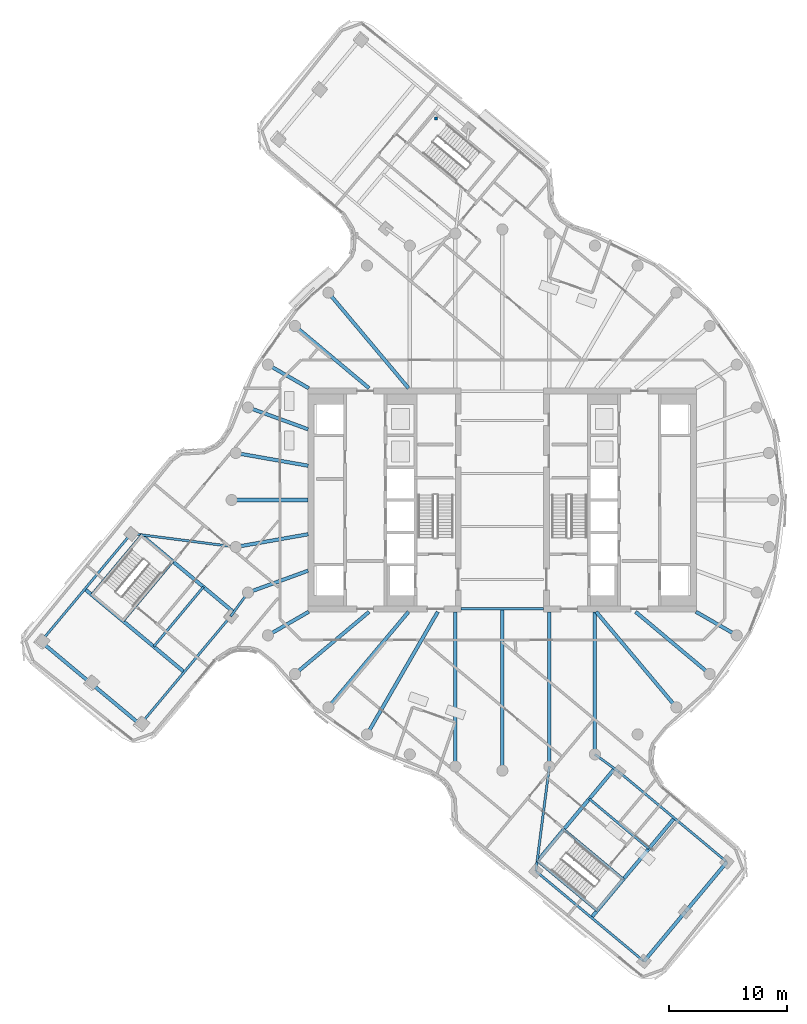
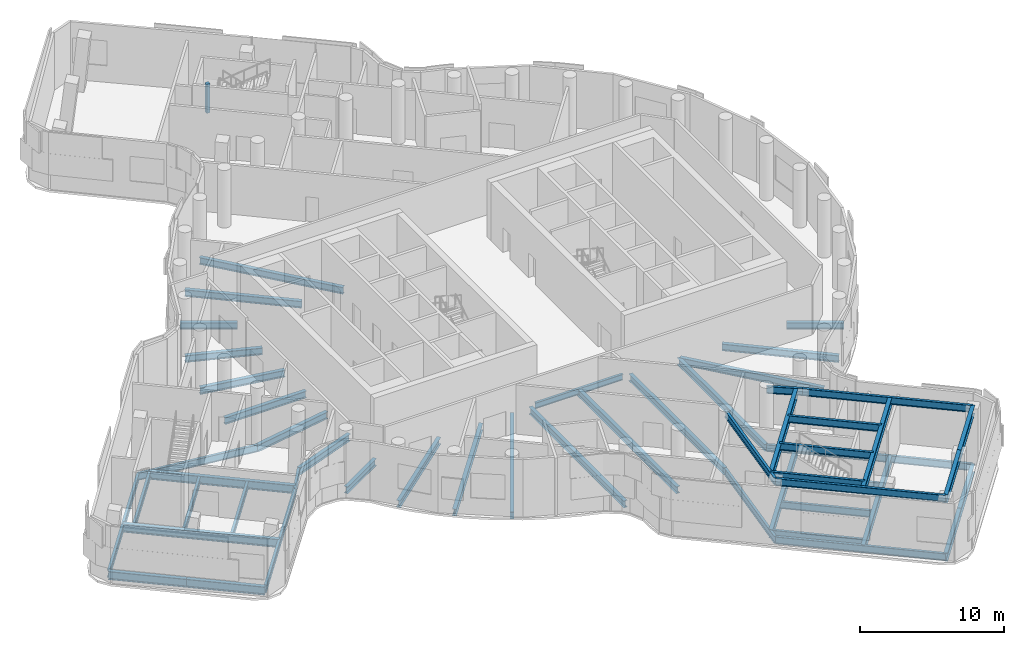
# One storey, part 2 of 19: 53 beams, 1 column.
"""IFC4 building model written with IfcOpenShell, lengths in metres."""

from ifc_helpers import new_model, si_unit, direction, frame, origin, origin_2d, place, context, subcontext, project, spatial, rectangle, i_section, extrude, material, material_profile, profile_set, type_object, element, save


model = new_model("IFC4")

# Units and contexts
model_context = context("Model", 3, precision=1e-05, world=origin(), true_north=direction((0.0, 1.0)))
body_context = subcontext(model_context, "Body", "Model", "MODEL_VIEW")
ifc_project = project(units=[si_unit("LENGTHUNIT", "METRE"), si_unit("AREAUNIT", "SQUARE_METRE"), si_unit("VOLUMEUNIT", "CUBIC_METRE"), si_unit("PLANEANGLEUNIT", "RADIAN"), si_unit("MASSUNIT", "GRAM", prefix="KILO")], contexts=[model_context])

# Site, building, storey
site_placement = place(None, origin())
site = spatial("IfcSite", under=ifc_project, at=site_placement, CompositionType="ELEMENT")
building_placement = place(site_placement, origin())
building = spatial("IfcBuilding", under=site, at=building_placement, Name="Tamarind Cross Interchange Tower", CompositionType="ELEMENT")
storey_placement = place(building_placement, frame((0.0, 0.0, 214.89990234375)))
storey = spatial("IfcBuildingStorey", under=building, at=storey_placement, Name="L54", CompositionType="ELEMENT", Elevation=214.89990234375)

# Column
ifc_material_1 = material(Name="Concrete C40", Category="concrete")
ifc_material_profile_1 = material_profile(ifc_material_1, rectangle(XDim=0.25, YDim=0.25, at=origin_2d()), Name="RC 250x250")
ifc_profile_set_1 = profile_set([ifc_material_profile_1], Name="Concrete C40")
column_type = type_object("IfcColumnType", Name="Column RC 250x250 Concrete C40", PredefinedType="COLUMN", material=ifc_profile_set_1)
column_placement = place(storey_placement, frame((-5.625732421875, 32.426513671875, -0.179931640625), z_axis=(0.0, 0.0, 1.0), x_axis=(1.0, 0.0, 0.0)))
element("IfcColumn", 1, at=column_placement, inside=storey, type_object=column_type, Name="Column ST4 landing L54", PredefinedType="COLUMN", context=body_context, shape_type="SweptSolid", body=[
    extrude(rectangle(XDim=0.25, YDim=0.25, at=origin_2d()), origin(), (0.0, 0.0, 1.0), 2.47998046875),
])

# Beams
ifc_material_2 = material(Name="Steel Q355B", Category="steel")
ifc_material_profile_2 = material_profile(ifc_material_2, i_section(OverallWidth=0.300048828125, OverallDepth=0.58203125, WebThickness=0.011962890625, FlangeThickness=0.01708984375, FilletRadius=0.01806640625, at=origin_2d()), Name="HM 582x300x12x17")
ifc_profile_set_2 = profile_set([ifc_material_profile_2], Name="Steel Q355B")
beam_type_1 = type_object("IfcBeamType", Name="Composite beam HM 582x300x12x17 Q355B", PredefinedType="BEAM", material=ifc_profile_set_2)
beam_1_placement = place(storey_placement, frame((-14.7841796875, 17.619140625, -0.470947265625), z_axis=(0.642786293979, -0.766045547127, 0.0), x_axis=(0.766045547127, 0.642786293979, 0.0)))
element("IfcBeam", 2, at=beam_1_placement, inside=storey, type_object=beam_type_1, Name="Beam HH13", PredefinedType="BEAM", context=body_context, shape_type="SweptSolid", body=[
    extrude(i_section(OverallWidth=0.300048828125, OverallDepth=0.58203125, WebThickness=0.011962890625, FlangeThickness=0.01708984375, FilletRadius=0.01806640625, at=origin_2d()), origin(), (0.0, 0.0, 1.0), 10.598876953125),
])
beam_2_placement = place(storey_placement, frame((-17.619140625, 14.7841796875, -0.470947265625), z_axis=(0.766040580814, -0.642792212574, 0.0), x_axis=(0.642792212574, 0.766040580814, 0.0)))
element("IfcBeam", 3, at=beam_2_placement, inside=storey, type_object=beam_type_1, Name="Beam HH14", PredefinedType="BEAM", context=body_context, shape_type="SweptSolid", body=[
    extrude(i_section(OverallWidth=0.300048828125, OverallDepth=0.58203125, WebThickness=0.011962890625, FlangeThickness=0.01708984375, FilletRadius=0.01806640625, at=origin_2d()), origin(), (0.0, 0.0, 1.0), 8.220703125),
])
beam_3_placement = place(storey_placement, frame((-19.918701171875, 11.5, -0.470947265625), z_axis=(0.866026010844, -0.49999894854, 0.0), x_axis=(0.49999894854, 0.866026010844, 0.0)))
element("IfcBeam", 4, at=beam_3_placement, inside=storey, type_object=beam_type_1, Name="Beam HH15", PredefinedType="BEAM", context=body_context, shape_type="SweptSolid", body=[
    extrude(i_section(OverallWidth=0.300048828125, OverallDepth=0.58203125, WebThickness=0.011962890625, FlangeThickness=0.01708984375, FilletRadius=0.01806640625, at=origin_2d()), origin(), (0.0, 0.0, 1.0), 4.0),
])
beam_4_placement = place(storey_placement, frame((-21.613037109375, 7.866455078125, -0.470947265625), z_axis=(0.939701685589, -0.341995236956, 0.0), x_axis=(0.341995236956, 0.939701685589, 0.0)))
element("IfcBeam", 5, at=beam_4_placement, inside=storey, type_object=beam_type_1, Name="Beam HH16", PredefinedType="BEAM", context=body_context, shape_type="SweptSolid", body=[
    extrude(i_section(OverallWidth=0.300048828125, OverallDepth=0.58203125, WebThickness=0.011962890625, FlangeThickness=0.01708984375, FilletRadius=0.01806640625, at=origin_2d()), origin(), (0.0, 0.0, 1.0), 5.441162109375),
])
beam_5_placement = place(storey_placement, frame((-22.650634765625, 3.993896484375, -0.470947265625), z_axis=(0.984809127561, -0.173640382036, 0.0), x_axis=(0.173640382036, 0.984809127561, 0.0)))
element("IfcBeam", 6, at=beam_5_placement, inside=storey, type_object=beam_type_1, Name="Beam HH17", PredefinedType="BEAM", context=body_context, shape_type="SweptSolid", body=[
    extrude(i_section(OverallWidth=0.300048828125, OverallDepth=0.58203125, WebThickness=0.011962890625, FlangeThickness=0.01708984375, FilletRadius=0.01806640625, at=origin_2d()), origin(), (0.0, 0.0, 1.0), 6.24560546875),
])
beam_6_placement = place(storey_placement, frame((-23.0, 0.0, -0.470947265625), z_axis=(1.0, 0.0, 0.0), x_axis=(0.0, 1.0, 0.0)))
element("IfcBeam", 7, at=beam_6_placement, inside=storey, type_object=beam_type_1, Name="Beam HH18", PredefinedType="BEAM", context=body_context, shape_type="SweptSolid", body=[
    extrude(i_section(OverallWidth=0.300048828125, OverallDepth=0.58203125, WebThickness=0.011962890625, FlangeThickness=0.01708984375, FilletRadius=0.01806640625, at=origin_2d()), origin(), (0.0, 0.0, 1.0), 6.5),
])
beam_7_placement = place(storey_placement, frame((-22.650634765625, -3.993896484375, -0.470947265625), z_axis=(0.984809127561, 0.173640382036, 0.0), x_axis=(-0.173640382036, 0.984809127561, 0.0)))
element("IfcBeam", 8, at=beam_7_placement, inside=storey, type_object=beam_type_1, Name="Beam HH19", PredefinedType="BEAM", context=body_context, shape_type="SweptSolid", body=[
    extrude(i_section(OverallWidth=0.300048828125, OverallDepth=0.58203125, WebThickness=0.011962890625, FlangeThickness=0.01708984375, FilletRadius=0.01806640625, at=origin_2d()), origin(), (0.0, 0.0, 1.0), 6.24560546875),
])
beam_8_placement = place(storey_placement, frame((-21.613037109375, -7.866455078125, -0.470947265625), z_axis=(0.939701685589, 0.341995236956, 0.0), x_axis=(-0.341995236956, 0.939701685589, 0.0)))
element("IfcBeam", 9, at=beam_8_placement, inside=storey, type_object=beam_type_1, Name="Beam HH20", PredefinedType="BEAM", context=body_context, shape_type="SweptSolid", body=[
    extrude(i_section(OverallWidth=0.300048828125, OverallDepth=0.58203125, WebThickness=0.011962890625, FlangeThickness=0.01708984375, FilletRadius=0.01806640625, at=origin_2d()), origin(), (0.0, 0.0, 1.0), 5.441162109375),
])
beam_9_placement = place(storey_placement, frame((-19.918701171875, -11.5, -0.470947265625), z_axis=(0.866026010844, 0.49999894854, 0.0), x_axis=(-0.49999894854, 0.866026010844, 0.0)))
element("IfcBeam", 10, at=beam_9_placement, inside=storey, type_object=beam_type_1, Name="Beam HH21", PredefinedType="BEAM", context=body_context, shape_type="SweptSolid", body=[
    extrude(i_section(OverallWidth=0.300048828125, OverallDepth=0.58203125, WebThickness=0.011962890625, FlangeThickness=0.01708984375, FilletRadius=0.01806640625, at=origin_2d()), origin(), (0.0, 0.0, 1.0), 4.0),
])
beam_10_placement = place(storey_placement, frame((-17.619140625, -14.7841796875, -0.470947265625), z_axis=(0.766040580814, 0.642792212574, 0.0), x_axis=(-0.642792212574, 0.766040580814, 0.0)))
element("IfcBeam", 11, at=beam_10_placement, inside=storey, type_object=beam_type_1, Name="Beam HH22", PredefinedType="BEAM", context=body_context, shape_type="SweptSolid", body=[
    extrude(i_section(OverallWidth=0.300048828125, OverallDepth=0.58203125, WebThickness=0.011962890625, FlangeThickness=0.01708984375, FilletRadius=0.01806640625, at=origin_2d()), origin(), (0.0, 0.0, 1.0), 8.220703125),
])
beam_11_placement = place(storey_placement, frame((-14.7841796875, -17.619140625, -0.470947265625), z_axis=(0.642786293979, 0.766045547127, 0.0), x_axis=(-0.766045547127, 0.642786293979, 0.0)))
element("IfcBeam", 12, at=beam_11_placement, inside=storey, type_object=beam_type_1, Name="Beam HH23", PredefinedType="BEAM", context=body_context, shape_type="SweptSolid", body=[
    extrude(i_section(OverallWidth=0.300048828125, OverallDepth=0.58203125, WebThickness=0.011962890625, FlangeThickness=0.01708984375, FilletRadius=0.01806640625, at=origin_2d()), origin(), (0.0, 0.0, 1.0), 10.598876953125),
])
beam_12_placement = place(storey_placement, frame((-11.5, -19.918701171875, -0.470947265625), z_axis=(0.499993565836, 0.866029118519, 0.0), x_axis=(-0.866029118519, 0.499993565836, 0.0)))
element("IfcBeam", 13, at=beam_12_placement, inside=storey, type_object=beam_type_1, Name="Beam HH24", PredefinedType="BEAM", context=body_context, shape_type="SweptSolid", body=[
    extrude(i_section(OverallWidth=0.300048828125, OverallDepth=0.58203125, WebThickness=0.011962890625, FlangeThickness=0.01708984375, FilletRadius=0.01806640625, at=origin_2d()), origin(), (0.0, 0.0, 1.0), 12.030517578125),
])
beam_13_placement = place(storey_placement, frame((-3.993896484375, -22.650634765625, -0.470947265625), z_axis=(0.0, 1.0, 0.0), x_axis=(-1.0, 0.0, 0.0)))
element("IfcBeam", 14, at=beam_13_placement, inside=storey, type_object=beam_type_1, Name="Beam HH26", PredefinedType="BEAM", context=body_context, shape_type="SweptSolid", body=[
    extrude(i_section(OverallWidth=0.300048828125, OverallDepth=0.58203125, WebThickness=0.011962890625, FlangeThickness=0.01708984375, FilletRadius=0.01806640625, at=origin_2d()), origin(), (0.0, 0.0, 1.0), 13.150634765625),
])
beam_14_placement = place(storey_placement, frame((0.0, -23.0, -0.470947265625), z_axis=(0.0, 1.0, 0.0), x_axis=(-1.0, 0.0, 0.0)))
element("IfcBeam", 15, at=beam_14_placement, inside=storey, type_object=beam_type_1, Name="Beam HH27", PredefinedType="BEAM", context=body_context, shape_type="SweptSolid", body=[
    extrude(i_section(OverallWidth=0.300048828125, OverallDepth=0.58203125, WebThickness=0.011962890625, FlangeThickness=0.01708984375, FilletRadius=0.01806640625, at=origin_2d()), origin(), (0.0, 0.0, 1.0), 13.75),
])
beam_15_placement = place(storey_placement, frame((3.993896484375, -22.650634765625, -0.470947265625), z_axis=(0.0, 1.0, 0.0), x_axis=(-1.0, 0.0, 0.0)))
element("IfcBeam", 16, at=beam_15_placement, inside=storey, type_object=beam_type_1, Name="Beam HH28", PredefinedType="BEAM", context=body_context, shape_type="SweptSolid", body=[
    extrude(i_section(OverallWidth=0.300048828125, OverallDepth=0.58203125, WebThickness=0.011962890625, FlangeThickness=0.01708984375, FilletRadius=0.01806640625, at=origin_2d()), origin(), (0.0, 0.0, 1.0), 13.150634765625),
])
beam_16_placement = place(storey_placement, frame((7.866455078125, -21.613037109375, -0.470947265625), z_axis=(0.0, 1.0, 0.0), x_axis=(-1.0, 0.0, 0.0)))
element("IfcBeam", 17, at=beam_16_placement, inside=storey, type_object=beam_type_1, Name="Beam HH29", PredefinedType="BEAM", context=body_context, shape_type="SweptSolid", body=[
    extrude(i_section(OverallWidth=0.300048828125, OverallDepth=0.58203125, WebThickness=0.011962890625, FlangeThickness=0.01708984375, FilletRadius=0.01806640625, at=origin_2d()), origin(), (0.0, 0.0, 1.0), 12.113037109375),
])
beam_17_placement = place(storey_placement, frame((14.7841796875, -17.619140625, -0.470947265625), z_axis=(-0.642786293979, 0.766045547127, 0.0), x_axis=(-0.766045547127, -0.642786293979, 0.0)))
element("IfcBeam", 18, at=beam_17_placement, inside=storey, type_object=beam_type_1, Name="Beam HH31", PredefinedType="BEAM", context=body_context, shape_type="SweptSolid", body=[
    extrude(i_section(OverallWidth=0.300048828125, OverallDepth=0.58203125, WebThickness=0.011962890625, FlangeThickness=0.01708984375, FilletRadius=0.01806640625, at=origin_2d()), origin(), (0.0, 0.0, 1.0), 10.598876953125),
])
beam_18_placement = place(storey_placement, frame((17.619140625, -14.7841796875, -0.470947265625), z_axis=(-0.766040580814, 0.642792212574, 0.0), x_axis=(-0.642792212574, -0.766040580814, 0.0)))
element("IfcBeam", 19, at=beam_18_placement, inside=storey, type_object=beam_type_1, Name="Beam HH32", PredefinedType="BEAM", context=body_context, shape_type="SweptSolid", body=[
    extrude(i_section(OverallWidth=0.300048828125, OverallDepth=0.58203125, WebThickness=0.011962890625, FlangeThickness=0.01708984375, FilletRadius=0.01806640625, at=origin_2d()), origin(), (0.0, 0.0, 1.0), 8.220703125),
])
beam_19_placement = place(storey_placement, frame((19.918701171875, -11.5, -0.470947265625), z_axis=(-0.866026010844, 0.49999894854, 0.0), x_axis=(-0.49999894854, -0.866026010844, 0.0)))
element("IfcBeam", 20, at=beam_19_placement, inside=storey, type_object=beam_type_1, Name="Beam HH33", PredefinedType="BEAM", context=body_context, shape_type="SweptSolid", body=[
    extrude(i_section(OverallWidth=0.300048828125, OverallDepth=0.58203125, WebThickness=0.011962890625, FlangeThickness=0.01708984375, FilletRadius=0.01806640625, at=origin_2d()), origin(), (0.0, 0.0, 1.0), 4.0),
])
ifc_material_profile_3 = material_profile(ifc_material_2, i_section(OverallWidth=0.198974609375, OverallDepth=0.49609375, WebThickness=0.009033203125, FlangeThickness=0.013916015625, FilletRadius=0.012939453125, at=origin_2d()), Name="HN 496x199x9x14")
ifc_profile_set_3 = profile_set([ifc_material_profile_3], Name="Steel Q355B")
beam_type_2 = type_object("IfcBeamType", Name="Composite beam HN 496x199x9x14 Q355B", PredefinedType="BEAM", material=ifc_profile_set_3)
beam_20_placement = place(storey_placement, frame((-3.5, -9.25, -0.427978515625), z_axis=(1.0, 0.0, 0.0), x_axis=(0.0, 1.0, 0.0)))
element("IfcBeam", 21, at=beam_20_placement, inside=storey, type_object=beam_type_2, Name="Beam G-9.25", PredefinedType="BEAM", context=body_context, shape_type="SweptSolid", body=[
    extrude(i_section(OverallWidth=0.198974609375, OverallDepth=0.49609375, WebThickness=0.009033203125, FlangeThickness=0.013916015625, FilletRadius=0.012939453125, at=origin_2d()), origin(), (0.0, 0.0, 1.0), 7.0),
])
ifc_material_profile_4 = material_profile(ifc_material_2, i_section(OverallWidth=0.199951171875, OverallDepth=0.60009765625, WebThickness=0.010986328125, FlangeThickness=0.01708984375, FilletRadius=0.012939453125, at=origin_2d()), Name="HN 600x200x11x17")
ifc_profile_set_4 = profile_set([ifc_material_profile_4], Name="Steel Q355B")
beam_type_3 = type_object("IfcBeamType", Name="Composite beam HN 600x200x11x17 Q355B", PredefinedType="BEAM", material=ifc_profile_set_4)
for number, where, z_axis, x_axis, name in (
    (22, (12.033935546875, -39.2080078125, -0.47998046875), (-0.76772934464, 0.640774260859, 0.0), (-0.640774260859, -0.76772934464, 0.0), "Beam S-edgeem4"),
    (23, (19.082275390625, -30.762939453125, -0.47998046875), (-0.767720966639, 0.64078429864, 0.0), (-0.64078429864, -0.767720966639, 0.0), "Beam S-edgeep2"),
):
    element("IfcBeam", number, at=place(storey_placement, frame(where, z_axis=z_axis, x_axis=x_axis)), inside=storey, type_object=beam_type_3, Name=name, PredefinedType="BEAM", context=body_context, shape_type="SweptSolid", body=[
        extrude(i_section(OverallWidth=0.199951171875, OverallDepth=0.60009765625, WebThickness=0.010986328125, FlangeThickness=0.01708984375, FilletRadius=0.012939453125, at=origin_2d()), origin(), (0.0, 0.0, 1.0), 11.965087890625),
    ])
beam_21_placement = place(storey_placement, frame((2.847900390625, -31.541015625, -0.47998046875), z_axis=(0.127845165111, 0.9917941388, 0.0), x_axis=(-0.9917941388, 0.127845165111, 0.0)))
element("IfcBeam", 24, at=beam_21_placement, inside=storey, type_object=beam_type_3, Name="Beam S-linkem", PredefinedType="BEAM", context=body_context, shape_type="SweptSolid", body=[
    extrude(i_section(OverallWidth=0.199951171875, OverallDepth=0.60009765625, WebThickness=0.010986328125, FlangeThickness=0.01708984375, FilletRadius=0.012939453125, at=origin_2d()), origin(), (0.0, 0.0, 1.0), 8.9638671875),
])
beam_22_placement = place(storey_placement, frame((9.896484375, -23.095947265625, -0.47998046875), z_axis=(-0.807499647334, 0.589868052665, 0.0), x_axis=(-0.589868052665, -0.807499647334, 0.0)))
element("IfcBeam", 25, at=beam_22_placement, inside=storey, type_object=beam_type_3, Name="Beam S-linkep", PredefinedType="BEAM", context=body_context, shape_type="SweptSolid", body=[
    extrude(i_section(OverallWidth=0.199951171875, OverallDepth=0.60009765625, WebThickness=0.010986328125, FlangeThickness=0.01708984375, FilletRadius=0.012939453125, at=origin_2d()), origin(), (0.0, 0.0, 1.0), 2.513916015625),
])
for number, where, z_axis, x_axis, name in (
    (26, (2.98291015625, -30.6767578125, -0.47998046875), (0.767726840421, -0.64077726122, 0.0), (0.64077726122, 0.767726840421, 0.0), "Beam S-tr0"),
    (27, (5.2255859375, -27.98974609375, -0.47998046875), (0.76774503746, -0.64075545839, 0.0), (0.64075545839, 0.76774503746, 0.0), "Beam S-tr1"),
):
    element("IfcBeam", number, at=place(storey_placement, frame(where, z_axis=z_axis, x_axis=x_axis)), inside=storey, type_object=beam_type_3, Name=name, PredefinedType="BEAM", context=body_context, shape_type="SweptSolid", body=[
        extrude(i_section(OverallWidth=0.199951171875, OverallDepth=0.60009765625, WebThickness=0.010986328125, FlangeThickness=0.01708984375, FilletRadius=0.012939453125, at=origin_2d()), origin(), (0.0, 0.0, 1.0), 6.60009765625),
    ])
for number, where, z_axis, x_axis, name in (
    (28, (-39.2080078125, -12.033935546875, -0.47998046875), (0.640774260859, 0.76772934464, 0.0), (-0.76772934464, 0.640774260859, 0.0), "Beam W-edgeem4"),
    (29, (-30.762939453125, -19.082275390625, -0.47998046875), (0.64078429864, 0.767720966639, 0.0), (-0.767720966639, 0.64078429864, 0.0), "Beam W-edgeep2"),
):
    element("IfcBeam", number, at=place(storey_placement, frame(where, z_axis=z_axis, x_axis=x_axis)), inside=storey, type_object=beam_type_3, Name=name, PredefinedType="BEAM", context=body_context, shape_type="SweptSolid", body=[
        extrude(i_section(OverallWidth=0.199951171875, OverallDepth=0.60009765625, WebThickness=0.010986328125, FlangeThickness=0.01708984375, FilletRadius=0.012939453125, at=origin_2d()), origin(), (0.0, 0.0, 1.0), 11.965087890625),
    ])
beam_23_placement = place(storey_placement, frame((-31.541015625, -2.847900390625, -0.47998046875), z_axis=(0.9917941388, -0.127845165111, 0.0), x_axis=(0.127845165111, 0.9917941388, 0.0)))
element("IfcBeam", 30, at=beam_23_placement, inside=storey, type_object=beam_type_3, Name="Beam W-linkem", PredefinedType="BEAM", context=body_context, shape_type="SweptSolid", body=[
    extrude(i_section(OverallWidth=0.199951171875, OverallDepth=0.60009765625, WebThickness=0.010986328125, FlangeThickness=0.01708984375, FilletRadius=0.012939453125, at=origin_2d()), origin(), (0.0, 0.0, 1.0), 8.9638671875),
])
beam_24_placement = place(storey_placement, frame((-23.095947265625, -9.896484375, -0.47998046875), z_axis=(0.589868052665, 0.807499647334, 0.0), x_axis=(-0.807499647334, 0.589868052665, 0.0)))
element("IfcBeam", 31, at=beam_24_placement, inside=storey, type_object=beam_type_3, Name="Beam W-linkep", PredefinedType="BEAM", context=body_context, shape_type="SweptSolid", body=[
    extrude(i_section(OverallWidth=0.199951171875, OverallDepth=0.60009765625, WebThickness=0.010986328125, FlangeThickness=0.01708984375, FilletRadius=0.012939453125, at=origin_2d()), origin(), (0.0, 0.0, 1.0), 2.513916015625),
])
for number, where, z_axis, x_axis, name in (
    (32, (-30.6767578125, -2.98291015625, -0.47998046875), (-0.64077726122, -0.767726840421, 0.0), (0.767726840421, -0.64077726122, 0.0), "Beam W-tr0"),
    (33, (-27.98974609375, -5.2255859375, -0.47998046875), (-0.64075545839, -0.76774503746, 0.0), (0.76774503746, -0.64075545839, 0.0), "Beam W-tr1"),
):
    element("IfcBeam", number, at=place(storey_placement, frame(where, z_axis=z_axis, x_axis=x_axis)), inside=storey, type_object=beam_type_3, Name=name, PredefinedType="BEAM", context=body_context, shape_type="SweptSolid", body=[
        extrude(i_section(OverallWidth=0.199951171875, OverallDepth=0.60009765625, WebThickness=0.010986328125, FlangeThickness=0.01708984375, FilletRadius=0.012939453125, at=origin_2d()), origin(), (0.0, 0.0, 1.0), 6.60009765625),
    ])
for number, where, z_axis, x_axis, name in (
    (34, (7.388427734375, -25.398681640625, -0.47998046875), (0.767729849571, -0.640773655886, 0.0), (0.640773655886, 0.767729849571, 0.0), "Beam S-stripp"),
    (35, (-25.398681640625, -7.388427734375, -0.47998046875), (-0.640773655886, -0.767729849571, 0.0), (0.767729849571, -0.640773655886, 0.0), "Beam W-stripp"),
):
    element("IfcBeam", number, at=place(storey_placement, frame(where, z_axis=z_axis, x_axis=x_axis)), inside=storey, type_object=beam_type_3, Name=name, PredefinedType="BEAM", context=body_context, shape_type="SweptSolid", body=[
        extrude(i_section(OverallWidth=0.199951171875, OverallDepth=0.60009765625, WebThickness=0.010986328125, FlangeThickness=0.01708984375, FilletRadius=0.012939453125, at=origin_2d()), origin(), (0.0, 0.0, 1.0), 6.599853515625),
    ])
ifc_material_profile_5 = material_profile(ifc_material_2, i_section(OverallWidth=0.300048828125, OverallDepth=0.699951171875, WebThickness=0.012939453125, FlangeThickness=0.02392578125, FilletRadius=0.01806640625, at=origin_2d()), Name="HN 700x300x13x24")
ifc_profile_set_5 = profile_set([ifc_material_profile_5], Name="Steel Q355B")
beam_type_4 = type_object("IfcBeamType", Name="Composite beam HN 700x300x13x24 Q355B", PredefinedType="BEAM", material=ifc_profile_set_5)
beam_25_placement = place(storey_placement, frame((12.033935546875, -39.2080078125, -0.52978515625), z_axis=(0.640751818971, 0.767748074882, 0.0), x_axis=(-0.767748074882, 0.640751818971, 0.0)))
element("IfcBeam", 36, at=beam_25_placement, inside=storey, type_object=beam_type_4, Name="Beam S-tip0", PredefinedType="BEAM", context=body_context, shape_type="SweptSolid", body=[
    extrude(i_section(OverallWidth=0.300048828125, OverallDepth=0.699951171875, WebThickness=0.012939453125, FlangeThickness=0.02392578125, FilletRadius=0.01806640625, at=origin_2d()), origin(), (0.0, 0.0, 1.0), 5.5),
])
beam_26_placement = place(storey_placement, frame((15.55810546875, -34.9853515625, -0.52978515625), z_axis=(0.640773655886, 0.767729849571, 0.0), x_axis=(-0.767729849571, 0.640773655886, 0.0)))
element("IfcBeam", 37, at=beam_26_placement, inside=storey, type_object=beam_type_4, Name="Beam S-tip1", PredefinedType="BEAM", context=body_context, shape_type="SweptSolid", body=[
    extrude(i_section(OverallWidth=0.300048828125, OverallDepth=0.699951171875, WebThickness=0.012939453125, FlangeThickness=0.02392578125, FilletRadius=0.01806640625, at=origin_2d()), origin(), (0.0, 0.0, 1.0), 5.499755859375),
])
beam_27_placement = place(storey_placement, frame((2.954833984375, -30.71044921875, -0.52978515625), z_axis=(0.64077141063, 0.767731723533, 0.0), x_axis=(-0.767731723533, 0.64077141063, 0.0)))
element("IfcBeam", 38, at=beam_27_placement, inside=storey, type_object=beam_type_4, Name="Beam S-x298", PredefinedType="BEAM", context=body_context, shape_type="SweptSolid", body=[
    extrude(i_section(OverallWidth=0.300048828125, OverallDepth=0.699951171875, WebThickness=0.012939453125, FlangeThickness=0.02392578125, FilletRadius=0.01806640625, at=origin_2d()), origin(), (0.0, 0.0, 1.0), 10.264892578125),
])
beam_28_placement = place(storey_placement, frame((7.5693359375, -35.481689453125, -0.52978515625), z_axis=(0.640775819133, 0.767728044046, 0.0), x_axis=(-0.767728044046, 0.640775819133, 0.0)))
element("IfcBeam", 39, at=beam_28_placement, inside=storey, type_object=beam_type_4, Name="Beam S-x364", PredefinedType="BEAM", context=body_context, shape_type="SweptSolid", body=[
    extrude(i_section(OverallWidth=0.300048828125, OverallDepth=0.699951171875, WebThickness=0.012939453125, FlangeThickness=0.02392578125, FilletRadius=0.01806640625, at=origin_2d()), origin(), (0.0, 0.0, 1.0), 11.0),
])
beam_29_placement = place(storey_placement, frame((-39.2080078125, -12.033935546875, -0.52978515625), z_axis=(0.767748074882, -0.640751818971, 0.0), x_axis=(0.640751818971, 0.767748074882, 0.0)))
element("IfcBeam", 40, at=beam_29_placement, inside=storey, type_object=beam_type_4, Name="Beam W-tip0", PredefinedType="BEAM", context=body_context, shape_type="SweptSolid", body=[
    extrude(i_section(OverallWidth=0.300048828125, OverallDepth=0.699951171875, WebThickness=0.012939453125, FlangeThickness=0.02392578125, FilletRadius=0.01806640625, at=origin_2d()), origin(), (0.0, 0.0, 1.0), 5.5),
])
beam_30_placement = place(storey_placement, frame((-34.9853515625, -15.55810546875, -0.52978515625), z_axis=(0.767729849571, -0.640773655886, 0.0), x_axis=(0.640773655886, 0.767729849571, 0.0)))
element("IfcBeam", 41, at=beam_30_placement, inside=storey, type_object=beam_type_4, Name="Beam W-tip1", PredefinedType="BEAM", context=body_context, shape_type="SweptSolid", body=[
    extrude(i_section(OverallWidth=0.300048828125, OverallDepth=0.699951171875, WebThickness=0.012939453125, FlangeThickness=0.02392578125, FilletRadius=0.01806640625, at=origin_2d()), origin(), (0.0, 0.0, 1.0), 5.499755859375),
])
beam_31_placement = place(storey_placement, frame((-30.71044921875, -2.954833984375, -0.52978515625), z_axis=(0.767731723533, -0.64077141063, 0.0), x_axis=(0.64077141063, 0.767731723533, 0.0)))
element("IfcBeam", 42, at=beam_31_placement, inside=storey, type_object=beam_type_4, Name="Beam W-x298", PredefinedType="BEAM", context=body_context, shape_type="SweptSolid", body=[
    extrude(i_section(OverallWidth=0.300048828125, OverallDepth=0.699951171875, WebThickness=0.012939453125, FlangeThickness=0.02392578125, FilletRadius=0.01806640625, at=origin_2d()), origin(), (0.0, 0.0, 1.0), 10.264892578125),
])
beam_32_placement = place(storey_placement, frame((-35.481689453125, -7.5693359375, -0.52978515625), z_axis=(0.767728044046, -0.640775819133, 0.0), x_axis=(0.640775819133, 0.767728044046, 0.0)))
element("IfcBeam", 43, at=beam_32_placement, inside=storey, type_object=beam_type_4, Name="Beam W-x364", PredefinedType="BEAM", context=body_context, shape_type="SweptSolid", body=[
    extrude(i_section(OverallWidth=0.300048828125, OverallDepth=0.699951171875, WebThickness=0.012939453125, FlangeThickness=0.02392578125, FilletRadius=0.01806640625, at=origin_2d()), origin(), (0.0, 0.0, 1.0), 11.0),
])
ifc_material_profile_6 = material_profile(ifc_material_2, i_section(OverallWidth=0.199951171875, OverallDepth=0.60009765625, WebThickness=0.010986328125, FlangeThickness=0.01708984375, FilletRadius=0.012939453125, at=origin_2d()), Name="HN 600x200x11x17")
ifc_profile_set_6 = profile_set([ifc_material_profile_6], Name="Steel Q355B")
beam_type_5 = type_object("IfcBeamType", Name="Roof beam HN 600x200x11x17 Q355B", PredefinedType="BEAM", material=ifc_profile_set_6)
for number, where, z_axis, x_axis, name in (
    (44, (12.033935546875, -39.2080078125, 4.4501953125), (-0.76772934464, 0.640774260859, 0.0), (-0.640774260859, -0.76772934464, 0.0), "Beam S-edgeem4"),
    (45, (19.082275390625, -30.762939453125, 4.4501953125), (-0.767720966639, 0.64078429864, 0.0), (-0.64078429864, -0.767720966639, 0.0), "Beam S-edgeep2"),
):
    element("IfcBeam", number, at=place(storey_placement, frame(where, z_axis=z_axis, x_axis=x_axis)), inside=storey, type_object=beam_type_5, Name=name, PredefinedType="BEAM", context=body_context, shape_type="SweptSolid", body=[
        extrude(i_section(OverallWidth=0.199951171875, OverallDepth=0.60009765625, WebThickness=0.010986328125, FlangeThickness=0.01708984375, FilletRadius=0.012939453125, at=origin_2d()), origin(), (0.0, 0.0, 1.0), 11.965087890625),
    ])
beam_33_placement = place(storey_placement, frame((2.847900390625, -31.541015625, 4.4501953125), z_axis=(0.127845165111, 0.9917941388, 0.0), x_axis=(-0.9917941388, 0.127845165111, 0.0)))
element("IfcBeam", 46, at=beam_33_placement, inside=storey, type_object=beam_type_5, Name="Beam S-linkem", PredefinedType="BEAM", context=body_context, shape_type="SweptSolid", body=[
    extrude(i_section(OverallWidth=0.199951171875, OverallDepth=0.60009765625, WebThickness=0.010986328125, FlangeThickness=0.01708984375, FilletRadius=0.012939453125, at=origin_2d()), origin(), (0.0, 0.0, 1.0), 8.9638671875),
])
beam_34_placement = place(storey_placement, frame((9.896484375, -23.095947265625, 4.4501953125), z_axis=(-0.807499647334, 0.589868052665, 0.0), x_axis=(-0.589868052665, -0.807499647334, 0.0)))
element("IfcBeam", 47, at=beam_34_placement, inside=storey, type_object=beam_type_5, Name="Beam S-linkep", PredefinedType="BEAM", context=body_context, shape_type="SweptSolid", body=[
    extrude(i_section(OverallWidth=0.199951171875, OverallDepth=0.60009765625, WebThickness=0.010986328125, FlangeThickness=0.01708984375, FilletRadius=0.012939453125, at=origin_2d()), origin(), (0.0, 0.0, 1.0), 2.513916015625),
])
for number, where, z_axis, x_axis, name in (
    (48, (2.98291015625, -30.6767578125, 4.4501953125), (0.767726840421, -0.64077726122, 0.0), (0.64077726122, 0.767726840421, 0.0), "Beam S-tr0"),
    (49, (5.2255859375, -27.98974609375, 4.4501953125), (0.76774503746, -0.64075545839, 0.0), (0.64075545839, 0.76774503746, 0.0), "Beam S-tr1"),
):
    element("IfcBeam", number, at=place(storey_placement, frame(where, z_axis=z_axis, x_axis=x_axis)), inside=storey, type_object=beam_type_5, Name=name, PredefinedType="BEAM", context=body_context, shape_type="SweptSolid", body=[
        extrude(i_section(OverallWidth=0.199951171875, OverallDepth=0.60009765625, WebThickness=0.010986328125, FlangeThickness=0.01708984375, FilletRadius=0.012939453125, at=origin_2d()), origin(), (0.0, 0.0, 1.0), 6.60009765625),
    ])
beam_35_placement = place(storey_placement, frame((7.388427734375, -25.398681640625, 4.4501953125), z_axis=(0.767729849571, -0.640773655886, 0.0), x_axis=(0.640773655886, 0.767729849571, 0.0)))
element("IfcBeam", 50, at=beam_35_placement, inside=storey, type_object=beam_type_5, Name="Beam S-stripp", PredefinedType="BEAM", context=body_context, shape_type="SweptSolid", body=[
    extrude(i_section(OverallWidth=0.199951171875, OverallDepth=0.60009765625, WebThickness=0.010986328125, FlangeThickness=0.01708984375, FilletRadius=0.012939453125, at=origin_2d()), origin(), (0.0, 0.0, 1.0), 6.599853515625),
])
ifc_material_profile_7 = material_profile(ifc_material_2, i_section(OverallWidth=0.300048828125, OverallDepth=0.699951171875, WebThickness=0.012939453125, FlangeThickness=0.02392578125, FilletRadius=0.01806640625, at=origin_2d()), Name="HN 700x300x13x24")
ifc_profile_set_7 = profile_set([ifc_material_profile_7], Name="Steel Q355B")
beam_type_6 = type_object("IfcBeamType", Name="Roof beam HN 700x300x13x24 Q355B", PredefinedType="BEAM", material=ifc_profile_set_7)
beam_36_placement = place(storey_placement, frame((12.033935546875, -39.2080078125, 4.400146484375), z_axis=(0.640751818971, 0.767748074882, 0.0), x_axis=(-0.767748074882, 0.640751818971, 0.0)))
element("IfcBeam", 51, at=beam_36_placement, inside=storey, type_object=beam_type_6, Name="Beam S-tip0", PredefinedType="BEAM", context=body_context, shape_type="SweptSolid", body=[
    extrude(i_section(OverallWidth=0.300048828125, OverallDepth=0.699951171875, WebThickness=0.012939453125, FlangeThickness=0.02392578125, FilletRadius=0.01806640625, at=origin_2d()), origin(), (0.0, 0.0, 1.0), 5.5),
])
beam_37_placement = place(storey_placement, frame((15.55810546875, -34.9853515625, 4.400146484375), z_axis=(0.640773655886, 0.767729849571, 0.0), x_axis=(-0.767729849571, 0.640773655886, 0.0)))
element("IfcBeam", 52, at=beam_37_placement, inside=storey, type_object=beam_type_6, Name="Beam S-tip1", PredefinedType="BEAM", context=body_context, shape_type="SweptSolid", body=[
    extrude(i_section(OverallWidth=0.300048828125, OverallDepth=0.699951171875, WebThickness=0.012939453125, FlangeThickness=0.02392578125, FilletRadius=0.01806640625, at=origin_2d()), origin(), (0.0, 0.0, 1.0), 5.499755859375),
])
beam_38_placement = place(storey_placement, frame((2.954833984375, -30.71044921875, 4.400146484375), z_axis=(0.64077141063, 0.767731723533, 0.0), x_axis=(-0.767731723533, 0.64077141063, 0.0)))
element("IfcBeam", 53, at=beam_38_placement, inside=storey, type_object=beam_type_6, Name="Beam S-x298", PredefinedType="BEAM", context=body_context, shape_type="SweptSolid", body=[
    extrude(i_section(OverallWidth=0.300048828125, OverallDepth=0.699951171875, WebThickness=0.012939453125, FlangeThickness=0.02392578125, FilletRadius=0.01806640625, at=origin_2d()), origin(), (0.0, 0.0, 1.0), 10.264892578125),
])
beam_39_placement = place(storey_placement, frame((7.5693359375, -35.481689453125, 4.400146484375), z_axis=(0.640775819133, 0.767728044046, 0.0), x_axis=(-0.767728044046, 0.640775819133, 0.0)))
element("IfcBeam", 54, at=beam_39_placement, inside=storey, type_object=beam_type_6, Name="Beam S-x364", PredefinedType="BEAM", context=body_context, shape_type="SweptSolid", body=[
    extrude(i_section(OverallWidth=0.300048828125, OverallDepth=0.699951171875, WebThickness=0.012939453125, FlangeThickness=0.02392578125, FilletRadius=0.01806640625, at=origin_2d()), origin(), (0.0, 0.0, 1.0), 11.0),
])

save(model, "model.ifc")
